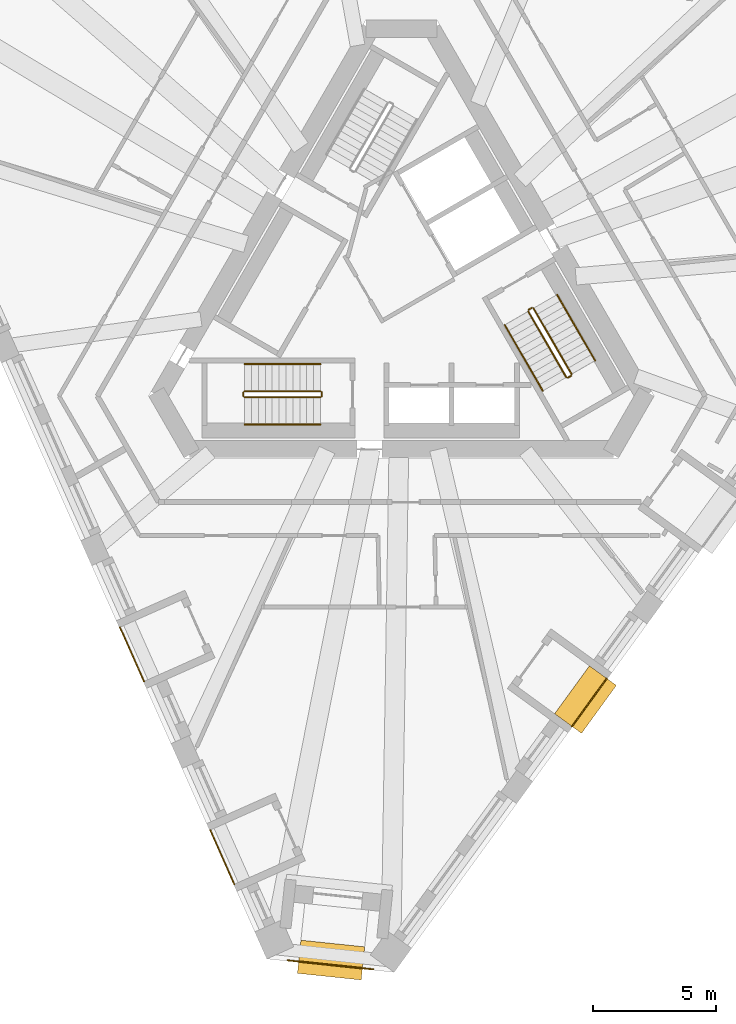
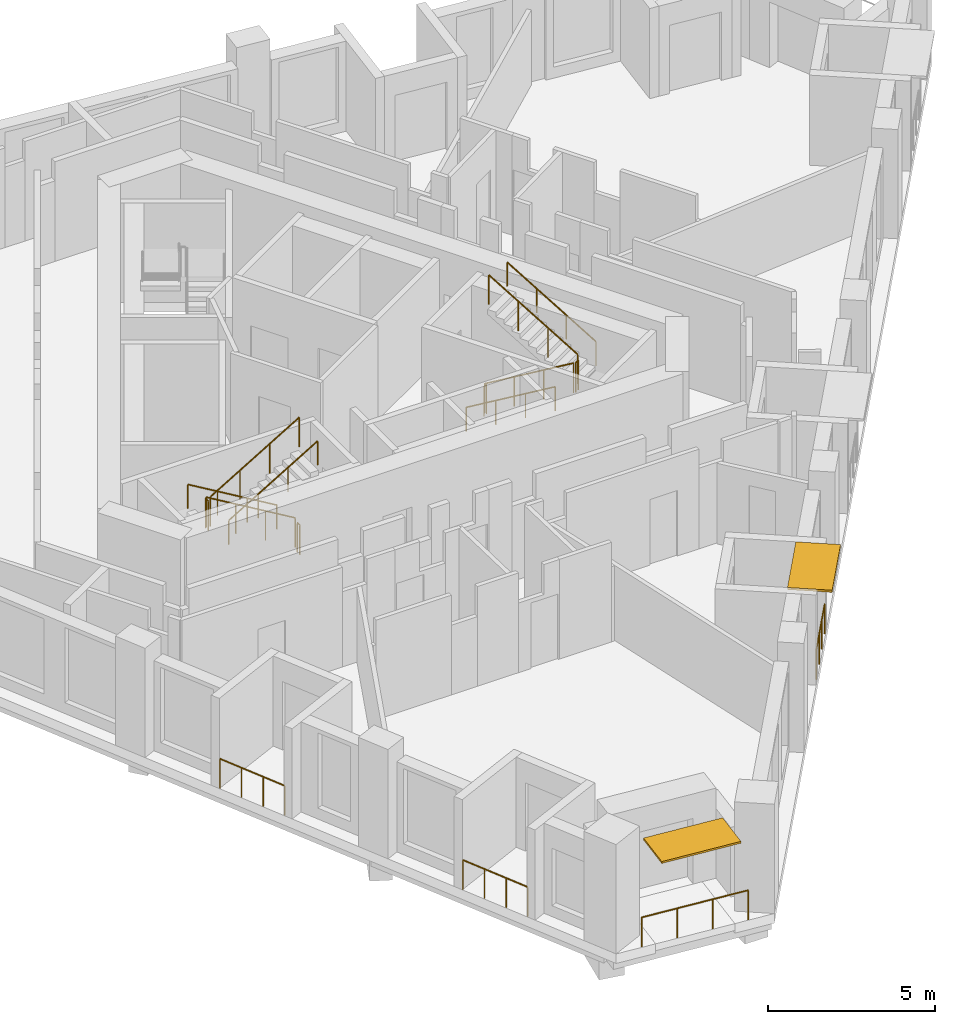
# One storey, part 9 of 11: 16 railings, 2 shading devices.
"""IFC4 building model written with IfcOpenShell, lengths in metres."""

import ifcopenshell
import ifcopenshell.guid

model = None  # the IFC model being written
_history = None  # IfcOwnerHistory: only IFC2X3 demands one
_inside = {}  # id of a spatial element -> (the spatial element, [elements in it])
_under = {}  # id of a project, library or spatial element -> (it, [spatial elements below it])
_declared = {}  # id of a project -> (the project, [libraries it declares])
_typed = {}  # id of a type object -> (the type object, [elements of that type])
_made_of = {}  # id of a material, layer set ... -> (it, [elements and type objects made of it])


def new_model(schema):
    """Start an empty IFC model of exactly this schema.

    Asked for "IFC4X3", IfcOpenShell would pick the latest addendum, in which some entities
    have other attributes; the version numbers below select the first issue.
    IFC2X3 requires an IfcOwnerHistory on every rooted entity: one is made here for all.
    """
    global model, _history
    if schema == "IFC4X3":
        model = ifcopenshell.file(schema_version=(4, 3, 0, 0))
    else:
        model = ifcopenshell.file(schema=schema)
    _inside.clear()
    _under.clear()
    _declared.clear()
    _typed.clear()
    _made_of.clear()
    _history = None
    if model.schema == "IFC2X3":
        org = make("IfcOrganization", Name="unknown")
        user = make(
            "IfcPersonAndOrganization",
            ThePerson=make("IfcPerson", FamilyName="unknown"),
            TheOrganization=org,
        )
        app = make(
            "IfcApplication",
            ApplicationDeveloper=org,
            Version="unknown",
            ApplicationFullName="unknown",
            ApplicationIdentifier="unknown",
        )
        _history = make(
            "IfcOwnerHistory",
            OwningUser=user,
            OwningApplication=app,
            ChangeAction="ADDED",
            CreationDate=0,
        )
    return model


def make(cls, **values):
    """One entity of the class cls with the attributes given. An attribute that is None is left unset."""
    return model.create_entity(
        cls, **{name: value for name, value in values.items() if value is not None}
    )


def rooted(cls, **values):
    """An entity with a GlobalId (a new one), such as an element, a storey or a relation."""
    return make(cls, GlobalId=ifcopenshell.guid.new(), OwnerHistory=_history, **values)


def si_unit(unit_type, name, prefix=None):
    """IfcSIUnit, for example si_unit("LENGTHUNIT", "METRE", prefix="MILLI")."""
    return make("IfcSIUnit", UnitType=unit_type, Prefix=prefix, Name=name)


def assignment(units):
    """IfcUnitAssignment: the units of a project."""
    return None if units is None else make("IfcUnitAssignment", Units=units)


def point(xyz):
    """IfcCartesianPoint."""
    return None if xyz is None else make("IfcCartesianPoint", Coordinates=xyz)


def direction(xyz):
    """IfcDirection."""
    return None if xyz is None else make("IfcDirection", DirectionRatios=xyz)


def frame(location, z_axis=None, x_axis=None):
    """IfcAxis2Placement3D, a coordinate frame: its origin and axes. An axis left out is left unset."""
    return make(
        "IfcAxis2Placement3D",
        Location=point(location),
        Axis=direction(z_axis),
        RefDirection=direction(x_axis),
    )


def frame_2d(location, x_axis=None):
    """IfcAxis2Placement2D, a coordinate frame in the plane: its origin and x axis."""
    return make(
        "IfcAxis2Placement2D", Location=point(location), RefDirection=direction(x_axis)
    )


def origin():
    """The frame at (0, 0, 0) with its axes left unset."""
    return frame((0.0, 0.0, 0.0))


def origin_2d():
    """The frame at (0, 0) in the plane with its x axis left unset."""
    return frame_2d((0.0, 0.0))


def place(relative_to, where):
    """IfcLocalPlacement: puts the frame where relative to a parent placement (None: the world)."""
    return make(
        "IfcLocalPlacement", PlacementRelTo=relative_to, RelativePlacement=where
    )


def context(
    kind, dimensions, precision=None, world=None, true_north=None, identifier=None
):
    """IfcGeometricRepresentationContext, for example the 3D "Model" context."""
    return make(
        "IfcGeometricRepresentationContext",
        ContextIdentifier=identifier,
        ContextType=kind,
        CoordinateSpaceDimension=dimensions,
        Precision=precision,
        WorldCoordinateSystem=world,
        TrueNorth=true_north,
    )


def subcontext(parent, identifier, kind, view, scale=None):
    """IfcGeometricRepresentationSubContext, for example "Body" below "Model"."""
    return make(
        "IfcGeometricRepresentationSubContext",
        ContextIdentifier=identifier,
        ContextType=kind,
        ParentContext=parent,
        TargetScale=scale,
        TargetView=view,
    )


def project(units=None, contexts=None):
    """IfcProject with its units and contexts."""
    return rooted(
        "IfcProject",
        Name="project",
        RepresentationContexts=contexts,
        UnitsInContext=assignment(units),
    )


def spatial(cls, under=None, at=None, **own):
    """A site, building, storey or space (cls), placed at a placement, below another one or the project."""
    s = rooted(cls, ObjectPlacement=at, **own)
    if under is not None:
        _under.setdefault(under.id(), (under, []))[1].append(s)
    return s


def profile(cls, at=None, kind="AREA", **sizes):
    """A parametric profile (cls). Its sizes go by their IFC names, for example OverallWidth=200.0."""
    return make(cls, ProfileType=kind, Position=at, **sizes)


def rectangle(**sizes):
    """IfcRectangleProfileDef."""
    return profile("IfcRectangleProfileDef", **sizes)


def circle(**sizes):
    """IfcCircleProfileDef."""
    return profile("IfcCircleProfileDef", **sizes)


def extrude(swept, where, along, depth):
    """IfcExtrudedAreaSolid: the profile swept, set in the frame where, extruded along a direction by depth."""
    return make(
        "IfcExtrudedAreaSolid",
        SweptArea=swept,
        Position=where,
        ExtrudedDirection=direction(along),
        Depth=depth,
    )


def shape(context_of_items, identifier, shape_type, items):
    """IfcShapeRepresentation: the items that make up one representation, for example the "Body"."""
    return make(
        "IfcShapeRepresentation",
        ContextOfItems=context_of_items,
        RepresentationIdentifier=identifier,
        RepresentationType=shape_type,
        Items=items,
    )


def material(Name=None, Category=None):
    """IfcMaterial."""
    return make("IfcMaterial", Name=Name, Category=Category)


def layer(
    of_material, thickness, ventilated=None, Name=None, Category=None, Priority=None
):
    """IfcMaterialLayer: one layer of a wall or slab, of a material (None: an air gap)."""
    return make(
        "IfcMaterialLayer",
        Material=of_material,
        LayerThickness=thickness,
        IsVentilated=ventilated,
        Name=Name,
        Category=Category,
        Priority=Priority,
    )


def layer_set(layers, Name=None):
    """IfcMaterialLayerSet."""
    return make("IfcMaterialLayerSet", MaterialLayers=layers, LayerSetName=Name)


def made_of(thing, what):
    """Note that an element or type object is made of a material, layer set ...; save() writes the relation."""
    if what is not None:
        _made_of.setdefault(what.id(), (what, []))[1].append(thing)
    return thing


def type_object(cls, material=None, **own):
    """A type object (cls), such as IfcWallType, which elements share."""
    return made_of(rooted(cls, **own), material)


def element(
    cls,
    number,
    at=None,
    inside=None,
    cuts=None,
    type_object=None,
    material=None,
    context=None,
    identifier="Body",
    shape_type=None,
    held_by="IfcProductDefinitionShape",
    body=None,
    shapes=None,
    **own,
):
    """One element of the class cls, such as IfcWall. Its Tag is "e" and its number.

    at: its placement. inside: the storey or other place that contains it. cuts: it is an
    opening in that element (IfcRelVoidsElement). A single representation is given by context,
    identifier, shape_type and body (its items); several are given by shapes. held_by: the class
    of the entity that holds the representations. save() writes the other relations.
    """
    e = rooted(cls, Tag="e%d" % number, ObjectPlacement=at, **own)
    if body is not None:
        shapes = [shape(context, identifier, shape_type, body)]
    if shapes is not None:
        e.Representation = make(held_by, Representations=shapes)
    if inside is not None:
        _inside.setdefault(inside.id(), (inside, []))[1].append(e)
    if cuts is not None:
        rooted(
            "IfcRelVoidsElement", RelatingBuildingElement=cuts, RelatedOpeningElement=e
        )
    if type_object is not None:
        _typed.setdefault(type_object.id(), (type_object, []))[1].append(e)
    return made_of(e, material)


def aggregate(whole, parts):
    """IfcRelAggregates: a whole, such as a stair, and the parts it consists of."""
    return rooted("IfcRelAggregates", RelatingObject=whole, RelatedObjects=parts)


def save(model, path):
    """Write the relations noted so far, then the file.

    IfcRelAggregates (storeys below a building ...), IfcRelContainedInSpatialStructure (elements
    in a storey), IfcRelDefinesByType, IfcRelAssociatesMaterial and IfcRelDeclares: one each for
    every whole, place, type object, material and project.
    """
    for whole, parts in _under.values():
        aggregate(whole, parts)
    for where, things in _inside.values():
        rooted(
            "IfcRelContainedInSpatialStructure",
            RelatedElements=things,
            RelatingStructure=where,
        )
    for kind, things in _typed.values():
        rooted("IfcRelDefinesByType", RelatedObjects=things, RelatingType=kind)
    for what, things in _made_of.values():
        rooted("IfcRelAssociatesMaterial", RelatedObjects=things, RelatingMaterial=what)
    for by, libraries in _declared.values():
        rooted("IfcRelDeclares", RelatingContext=by, RelatedDefinitions=libraries)
    model.write(path)


model = new_model("IFC4")

# Units and contexts
model_context = context("Model", 3, precision=1e-05, world=origin(), true_north=direction((0.0, 1.0)))
body_context = subcontext(model_context, "Body", "Model", "MODEL_VIEW")
ifc_project = project(units=[si_unit("LENGTHUNIT", "METRE"), si_unit("AREAUNIT", "SQUARE_METRE"), si_unit("VOLUMEUNIT", "CUBIC_METRE"), si_unit("PLANEANGLEUNIT", "RADIAN"), si_unit("MASSUNIT", "GRAM", prefix="KILO")], contexts=[model_context])

# Site, building, storey
site_placement = place(None, origin())
site = spatial("IfcSite", under=ifc_project, at=site_placement, CompositionType="ELEMENT")
building_placement = place(site_placement, origin())
building = spatial("IfcBuilding", under=site, at=building_placement, Name="Tramontana Tower", CompositionType="ELEMENT")
storey_placement = place(building_placement, frame((0.0, 0.0, 245.199951171875)))
storey = spatial("IfcBuildingStorey", under=building, at=storey_placement, Name="L57", CompositionType="ELEMENT", Elevation=245.199951171875)

# Railings
ifc_material_1 = material(Name="Laminated glass balustrade", Category="glass")
railing_type_1 = type_object("IfcRailingType", Name="GD1 Loggia glass balustrade 1100", PredefinedType="BALUSTRADE", material=ifc_material_1)
for number, where, name in (
    (1, (-11.41455078125, -13.626220703125, 0.0), "Loggia balustrade L57 G6S0.10"),
    (2, (-7.751220703125, -21.854248046875, 0.0), "Loggia balustrade L57 G6S0.13"),
):
    element("IfcRailing", number, at=place(storey_placement, frame(where)), inside=storey, type_object=railing_type_1, Name=name, PredefinedType="BALUSTRADE", context=body_context, shape_type="SweptSolid", body=[
        extrude(circle(Radius=0.02392578125, at=origin_2d()), frame((0.0, 0.0, 1.076171875), z_axis=(0.406723017018, -0.913551524232, 0.0), x_axis=(0.913551524232, 0.406723017018, 0.0)), (0.0, 0.0, 1.0), 2.40234375),
        extrude(circle(Radius=0.02099609375, at=origin_2d()), origin(), (0.0, 0.0, 1.0), 1.052001953125),
        extrude(circle(Radius=0.02099609375, at=origin_2d()), frame((0.32568359375, -0.7314453125, 0.0)), (0.0, 0.0, 1.0), 1.052001953125),
        extrude(circle(Radius=0.02099609375, at=origin_2d()), frame((0.6513671875, -1.463134765625, 0.0)), (0.0, 0.0, 1.0), 1.052001953125),
        extrude(circle(Radius=0.02099609375, at=origin_2d()), frame((0.97705078125, -2.194580078125, 0.0)), (0.0, 0.0, 1.0), 1.052001953125),
    ])
railing_1_placement = place(storey_placement, frame((6.919921875, -17.645263671875, 0.0)))
element("IfcRailing", 3, at=railing_1_placement, inside=storey, type_object=railing_type_1, Name="Loggia balustrade L57 G6S1.4", PredefinedType="BALUSTRADE", context=body_context, shape_type="SweptSolid", body=[
    extrude(circle(Radius=0.02392578125, at=origin_2d()), frame((0.0, 0.0, 1.076171875), z_axis=(0.587784915375, 0.80901723916, 0.0), x_axis=(-0.80901723916, 0.587784915375, 0.0)), (0.0, 0.0, 1.0), 2.40234375),
    extrude(circle(Radius=0.02099609375, at=origin_2d()), origin(), (0.0, 0.0, 1.0), 1.052001953125),
    extrude(circle(Radius=0.02099609375, at=origin_2d()), frame((0.470703125, 0.64794921875, 0.0)), (0.0, 0.0, 1.0), 1.052001953125),
    extrude(circle(Radius=0.02099609375, at=origin_2d()), frame((0.94140625, 1.295654296875, 0.0)), (0.0, 0.0, 1.0), 1.052001953125),
    extrude(circle(Radius=0.02099609375, at=origin_2d()), frame((1.412109375, 1.943603515625, 0.0)), (0.0, 0.0, 1.0), 1.052001953125),
])
railing_2_placement = place(storey_placement, frame((-1.131103515625, -27.50244140625, 0.0)))
element("IfcRailing", 4, at=railing_2_placement, inside=storey, type_object=railing_type_1, Name="Corner loggia balustrade L57 K61", PredefinedType="BALUSTRADE", context=body_context, shape_type="SweptSolid", body=[
    extrude(circle(Radius=0.02392578125, at=origin_2d()), frame((0.0, 0.0, 1.076171875), z_axis=(-0.994518059202, 0.104564955513, 0.0), x_axis=(-0.104564955513, -0.994518059202, 0.0)), (0.0, 0.0, 1.0), 3.5),
    extrude(circle(Radius=0.02099609375, at=origin_2d()), origin(), (0.0, 0.0, 1.0), 1.052001953125),
    extrude(circle(Radius=0.02099609375, at=origin_2d()), frame((-1.16015625, 0.1220703125, 0.0)), (0.0, 0.0, 1.0), 1.052001953125),
    extrude(circle(Radius=0.02099609375, at=origin_2d()), frame((-2.320556640625, 0.243896484375, 0.0)), (0.0, 0.0, 1.0), 1.052001953125),
    extrude(circle(Radius=0.02099609375, at=origin_2d()), frame((-3.480712890625, 0.365966796875, 0.0)), (0.0, 0.0, 1.0), 1.052001953125),
])

# Shading devices
ifc_material_2 = material(Name="Precast concrete 60 MPa", Category="concrete")
ifc_layer_1 = layer(ifc_material_2, 0.070068359375)
ifc_layer_set_1 = layer_set([ifc_layer_1], Name="SS2 Stone sunshade blade 70")
shading_device_type_1 = type_object("IfcShadingDeviceType", Name="SS2 Stone sunshade blade 70", PredefinedType="USERDEFINED", material=ifc_layer_set_1)
shading_device_1_placement = place(storey_placement, frame((-2.85107421875, -27.12548828125, 3.22998046875), z_axis=(0.0, 0.0, 1.0), x_axis=(-0.994521895368, 0.104528463268, 0.0)))
element("IfcShadingDevice", 5, at=shading_device_1_placement, inside=storey, type_object=shading_device_type_1, Name="Corner sunshade L57 K61", ObjectType="SUNSHADE", PredefinedType="USERDEFINED", context=body_context, shape_type="SweptSolid", body=[
    extrude(rectangle(XDim=2.60009765625, YDim=1.35009765625, at=origin_2d()), origin(), (0.0, 0.0, 1.0), 0.070068359375),
])
ifc_material_3 = material(Name="Precast concrete 60 MPa", Category="concrete")
ifc_layer_2 = layer(ifc_material_3, 0.080078125)
ifc_layer_set_2 = layer_set([ifc_layer_2], Name="SS3 Stone sunshade blade 80")
shading_device_type_2 = type_object("IfcShadingDeviceType", Name="SS3 Stone sunshade blade 80", PredefinedType="USERDEFINED", material=ifc_layer_set_2)
shading_device_2_placement = place(storey_placement, frame((7.46826171875, -16.558837890625, 3.219970703125), z_axis=(0.0, 0.0, 1.0), x_axis=(0.587785252292, 0.809016994375, 0.0)))
element("IfcShadingDevice", 6, at=shading_device_2_placement, inside=storey, type_object=shading_device_type_2, Name="Sunshade L57 G6S1.4", ObjectType="SUNSHADE", PredefinedType="USERDEFINED", context=body_context, shape_type="SweptSolid", body=[
    extrude(rectangle(XDim=2.402099609375, YDim=1.35009765625, at=origin_2d()), origin(), (0.0, 0.0, 1.0), 0.080078125),
])

# Railings
ifc_material_4 = material(Name="Painted steel", Category="steel")
railing_type_2 = type_object("IfcRailingType", Name="STAIR GUARD 1100", PredefinedType="GUARDRAIL", material=ifc_material_4)
railing_3_placement = place(storey_placement, frame((-3.280029296875, -4.050048828125, 0.166748046875)))
element("IfcRailing", 7, at=railing_3_placement, inside=storey, type_object=railing_type_2, Name="L57 ST2 stair guard 1", PredefinedType="GUARDRAIL", context=body_context, shape_type="SweptSolid", body=[
    extrude(circle(Radius=0.02392578125, at=origin_2d()), frame((0.0, 0.0, 1.076171875), z_axis=(-0.859308565015, 0.0, 0.511457515432), x_axis=(0.0, -1.0, 0.0)), (0.0, 0.0, 1.0), 3.58447265625),
    extrude(circle(Radius=0.02099609375, at=origin_2d()), origin(), (0.0, 0.0, 1.0), 1.052001953125),
    extrude(circle(Radius=0.02099609375, at=origin_2d()), frame((-1.026611328125, 0.0, 0.611083984375)), (0.0, 0.0, 1.0), 1.052001953125),
    extrude(circle(Radius=0.02099609375, at=origin_2d()), frame((-2.053466796875, 0.0, 1.22216796875)), (0.0, 0.0, 1.0), 1.052001953125),
    extrude(circle(Radius=0.02099609375, at=origin_2d()), frame((-3.080078125, 0.0, 1.833251953125)), (0.0, 0.0, 1.0), 1.052001953125),
])
railing_4_placement = place(storey_placement, frame((-6.360107421875, -4.300048828125, 2.166748046875)))
element("IfcRailing", 8, at=railing_4_placement, inside=storey, type_object=railing_type_2, Name="L57 ST2 stair guard 2", PredefinedType="GUARDRAIL", context=body_context, shape_type="SweptSolid", body=[
    extrude(circle(Radius=0.02392578125, at=origin_2d()), frame((0.0, 0.0, 1.076171875), z_axis=(0.859308565015, 0.0, 0.511457515432), x_axis=(0.0, 1.0, 0.0)), (0.0, 0.0, 1.0), 3.58447265625),
    extrude(circle(Radius=0.02099609375, at=origin_2d()), origin(), (0.0, 0.0, 1.0), 1.052001953125),
    extrude(circle(Radius=0.02099609375, at=origin_2d()), frame((1.026611328125, 0.0, 0.611083984375)), (0.0, 0.0, 1.0), 1.052001953125),
    extrude(circle(Radius=0.02099609375, at=origin_2d()), frame((2.053466796875, 0.0, 1.22216796875)), (0.0, 0.0, 1.0), 1.052001953125),
    extrude(circle(Radius=0.02099609375, at=origin_2d()), frame((3.080078125, 0.0, 1.833251953125)), (0.0, 0.0, 1.0), 1.052001953125),
])
for number, where, name in (
    (9, (-6.409912109375, -4.10009765625, 2.0), "L57 ST2 stair guard 3"),
    (10, (-3.22998046875, -4.10009765625, 0.0), "L57 ST2 stair guard 4"),
):
    element("IfcRailing", number, at=place(storey_placement, frame(where)), inside=storey, type_object=railing_type_2, Name=name, PredefinedType="GUARDRAIL", context=body_context, shape_type="SweptSolid", body=[
        extrude(circle(Radius=0.02392578125, at=origin_2d()), frame((0.0, 0.0, 1.076171875), z_axis=(0.0, -1.0, 0.0), x_axis=(1.0, 0.0, 0.0)), (0.0, 0.0, 1.0), 0.14990234375),
        extrude(circle(Radius=0.02099609375, at=origin_2d()), origin(), (0.0, 0.0, 1.0), 1.052001953125),
        extrude(circle(Radius=0.02099609375, at=origin_2d()), frame((0.0, -0.14990234375, 0.0)), (0.0, 0.0, 1.0), 1.052001953125),
    ])
railing_5_placement = place(storey_placement, frame((5.1474609375, -0.815673828125, 0.166748046875)))
element("IfcRailing", 11, at=railing_5_placement, inside=storey, type_object=railing_type_2, Name="L57 ST3 stair guard 1", PredefinedType="GUARDRAIL", context=body_context, shape_type="SweptSolid", body=[
    extrude(circle(Radius=0.02392578125, at=origin_2d()), frame((0.0, 0.0, 1.076171875), z_axis=(0.429671193721, -0.744159446956, 0.511477646425), x_axis=(0.866010015463, 0.500026652407, 0.0)), (0.0, 0.0, 1.0), 3.584228515625),
    extrude(circle(Radius=0.02099609375, at=origin_2d()), origin(), (0.0, 0.0, 1.0), 1.052001953125),
    extrude(circle(Radius=0.02099609375, at=origin_2d()), frame((0.513427734375, -0.88916015625, 0.611083984375)), (0.0, 0.0, 1.0), 1.052001953125),
    extrude(circle(Radius=0.02099609375, at=origin_2d()), frame((1.026611328125, -1.778076171875, 1.22216796875)), (0.0, 0.0, 1.0), 1.052001953125),
    extrude(circle(Radius=0.02099609375, at=origin_2d()), frame((1.5400390625, -2.667236328125, 1.833251953125)), (0.0, 0.0, 1.0), 1.052001953125),
])
railing_6_placement = place(storey_placement, frame((6.90380859375, -3.35791015625, 2.166748046875)))
element("IfcRailing", 12, at=railing_6_placement, inside=storey, type_object=railing_type_2, Name="L57 ST3 stair guard 2", PredefinedType="GUARDRAIL", context=body_context, shape_type="SweptSolid", body=[
    extrude(circle(Radius=0.02392578125, at=origin_2d()), frame((0.0, 0.0, 1.076171875), z_axis=(-0.429615651263, 0.74418122563, 0.511492615401), x_axis=(-0.866044340336, -0.499967199496, 0.0)), (0.0, 0.0, 1.0), 3.584228515625),
    extrude(circle(Radius=0.02099609375, at=origin_2d()), origin(), (0.0, 0.0, 1.0), 1.052001953125),
    extrude(circle(Radius=0.02099609375, at=origin_2d()), frame((-0.51318359375, 0.88916015625, 0.611083984375)), (0.0, 0.0, 1.0), 1.052001953125),
    extrude(circle(Radius=0.02099609375, at=origin_2d()), frame((-1.026611328125, 1.778076171875, 1.22216796875)), (0.0, 0.0, 1.0), 1.052001953125),
    extrude(circle(Radius=0.02099609375, at=origin_2d()), frame((-1.539794921875, 2.667236328125, 1.833251953125)), (0.0, 0.0, 1.0), 1.052001953125),
])
for number, where, name in (
    (13, (6.755615234375, -3.501220703125, 2.0), "L57 ST3 stair guard 3"),
    (14, (5.165771484375, -0.747314453125, 0.0), "L57 ST3 stair guard 4"),
):
    element("IfcRailing", number, at=place(storey_placement, frame(where)), inside=storey, type_object=railing_type_2, Name=name, PredefinedType="GUARDRAIL", context=body_context, shape_type="SweptSolid", body=[
        extrude(circle(Radius=0.02392578125, at=origin_2d()), frame((0.0, 0.0, 1.076171875), z_axis=(0.866131372301, 0.499816412211, 0.0), x_axis=(-0.499816412211, 0.866131372301, 0.0)), (0.0, 0.0, 1.0), 0.14990234375),
        extrude(circle(Radius=0.02099609375, at=origin_2d()), origin(), (0.0, 0.0, 1.0), 1.052001953125),
        extrude(circle(Radius=0.02099609375, at=origin_2d()), frame((0.1298828125, 0.074951171875, 0.0)), (0.0, 0.0, 1.0), 1.052001953125),
    ])
ifc_material_5 = material(Name="Painted steel", Category="steel")
railing_type_3 = type_object("IfcRailingType", Name="STAIR HANDRAIL 900", PredefinedType="HANDRAIL", material=ifc_material_5)
railing_7_placement = place(storey_placement, frame((-3.280029296875, -2.949951171875, 0.166748046875)))
element("IfcRailing", 15, at=railing_7_placement, inside=storey, type_object=railing_type_3, Name="L57 ST2 stair handrail 1", PredefinedType="HANDRAIL", context=body_context, shape_type="SweptSolid", body=[
    extrude(circle(Radius=0.02392578125, at=origin_2d()), frame((0.0, 0.0, 0.8759765625), z_axis=(-0.859308565015, 0.0, 0.511457515432), x_axis=(0.0, -1.0, 0.0)), (0.0, 0.0, 1.0), 3.58447265625),
    extrude(circle(Radius=0.02099609375, at=origin_2d()), origin(), (0.0, 0.0, 1.0), 0.851806640625),
    extrude(circle(Radius=0.02099609375, at=origin_2d()), frame((-1.026611328125, 0.0, 0.611083984375)), (0.0, 0.0, 1.0), 0.851806640625),
    extrude(circle(Radius=0.02099609375, at=origin_2d()), frame((-2.053466796875, 0.0, 1.22216796875)), (0.0, 0.0, 1.0), 0.851806640625),
    extrude(circle(Radius=0.02099609375, at=origin_2d()), frame((-3.080078125, 0.0, 1.833251953125)), (0.0, 0.0, 1.0), 0.851806640625),
])
railing_8_placement = place(storey_placement, frame((-6.360107421875, -5.39990234375, 2.166748046875)))
element("IfcRailing", 16, at=railing_8_placement, inside=storey, type_object=railing_type_3, Name="L57 ST2 stair handrail 2", PredefinedType="HANDRAIL", context=body_context, shape_type="SweptSolid", body=[
    extrude(circle(Radius=0.02392578125, at=origin_2d()), frame((0.0, 0.0, 0.8759765625), z_axis=(0.859308565015, 0.0, 0.511457515432), x_axis=(0.0, 1.0, 0.0)), (0.0, 0.0, 1.0), 3.58447265625),
    extrude(circle(Radius=0.02099609375, at=origin_2d()), origin(), (0.0, 0.0, 1.0), 0.851806640625),
    extrude(circle(Radius=0.02099609375, at=origin_2d()), frame((1.026611328125, 0.0, 0.611083984375)), (0.0, 0.0, 1.0), 0.851806640625),
    extrude(circle(Radius=0.02099609375, at=origin_2d()), frame((2.053466796875, 0.0, 1.22216796875)), (0.0, 0.0, 1.0), 0.851806640625),
    extrude(circle(Radius=0.02099609375, at=origin_2d()), frame((3.080078125, 0.0, 1.833251953125)), (0.0, 0.0, 1.0), 0.851806640625),
])
railing_9_placement = place(storey_placement, frame((4.19482421875, -1.365478515625, 0.166748046875)))
element("IfcRailing", 17, at=railing_9_placement, inside=storey, type_object=railing_type_3, Name="L57 ST3 stair handrail 1", PredefinedType="HANDRAIL", context=body_context, shape_type="SweptSolid", body=[
    extrude(circle(Radius=0.02392578125, at=origin_2d()), frame((0.0, 0.0, 0.8759765625), z_axis=(0.429649414936, -0.744189839504, 0.511451721109), x_axis=(0.866029832698, 0.499992328818, 0.0)), (0.0, 0.0, 1.0), 3.58447265625),
    extrude(circle(Radius=0.02099609375, at=origin_2d()), origin(), (0.0, 0.0, 1.0), 0.851806640625),
    extrude(circle(Radius=0.02099609375, at=origin_2d()), frame((0.513427734375, -0.88916015625, 0.611083984375)), (0.0, 0.0, 1.0), 0.851806640625),
    extrude(circle(Radius=0.02099609375, at=origin_2d()), frame((1.026611328125, -1.7783203125, 1.22216796875)), (0.0, 0.0, 1.0), 0.851806640625),
    extrude(circle(Radius=0.02099609375, at=origin_2d()), frame((1.5400390625, -2.66748046875, 1.833251953125)), (0.0, 0.0, 1.0), 0.851806640625),
])
railing_10_placement = place(storey_placement, frame((7.8564453125, -2.807861328125, 2.166748046875)))
element("IfcRailing", 18, at=railing_10_placement, inside=storey, type_object=railing_type_3, Name="L57 ST3 stair handrail 2", PredefinedType="HANDRAIL", context=body_context, shape_type="SweptSolid", body=[
    extrude(circle(Radius=0.02392578125, at=origin_2d()), frame((0.0, 0.0, 0.8759765625), z_axis=(-0.429615651263, 0.74418122563, 0.511492615401), x_axis=(-0.866044340336, -0.499967199496, 0.0)), (0.0, 0.0, 1.0), 3.584228515625),
    extrude(circle(Radius=0.02099609375, at=origin_2d()), origin(), (0.0, 0.0, 1.0), 0.851806640625),
    extrude(circle(Radius=0.02099609375, at=origin_2d()), frame((-0.51318359375, 0.88916015625, 0.611083984375)), (0.0, 0.0, 1.0), 0.851806640625),
    extrude(circle(Radius=0.02099609375, at=origin_2d()), frame((-1.026611328125, 1.778076171875, 1.22216796875)), (0.0, 0.0, 1.0), 0.851806640625),
    extrude(circle(Radius=0.02099609375, at=origin_2d()), frame((-1.539794921875, 2.667236328125, 1.833251953125)), (0.0, 0.0, 1.0), 0.851806640625),
])

save(model, "model.ifc")
